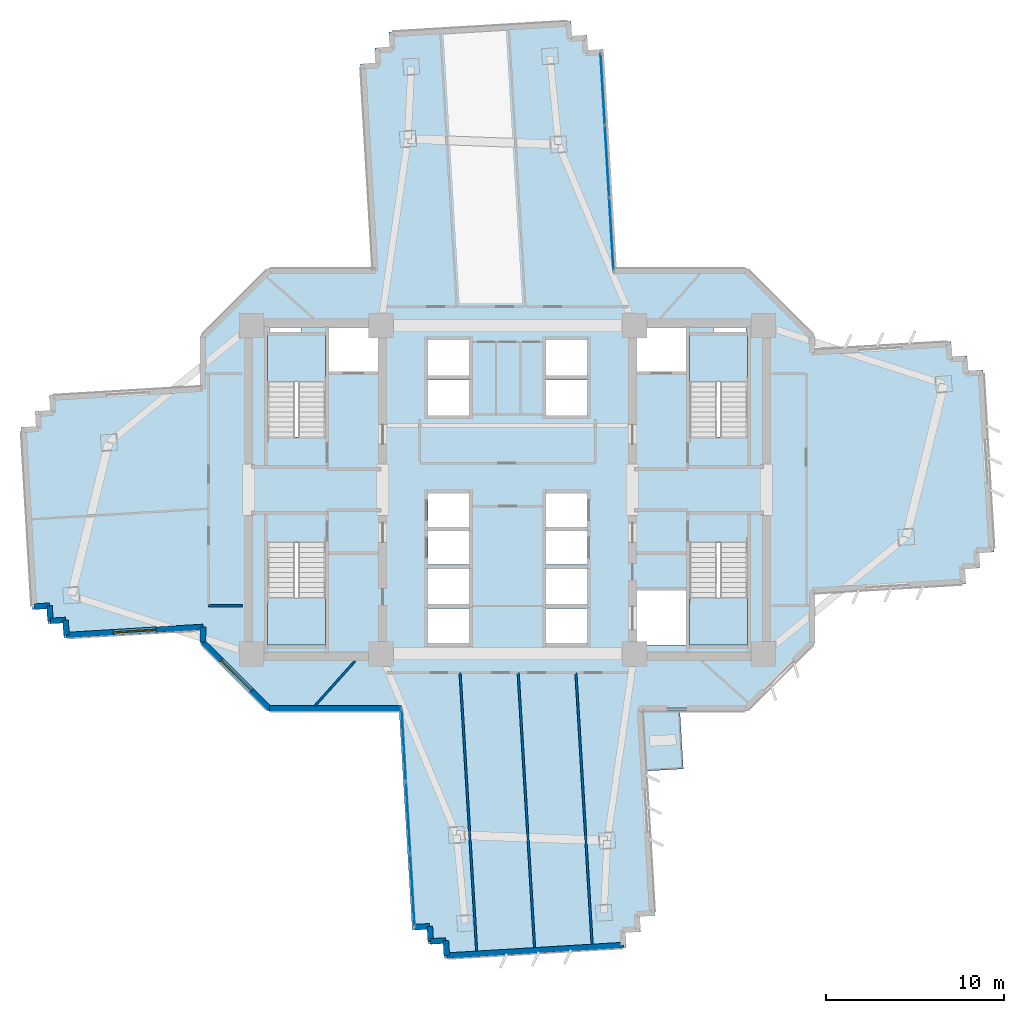
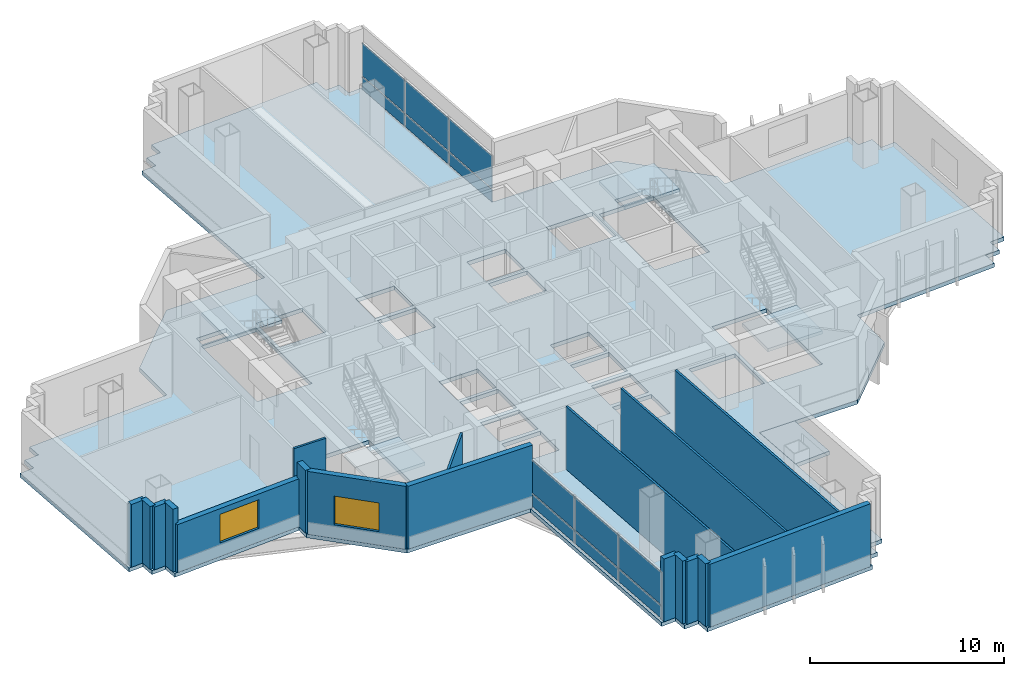
# One storey, part 5 of 15: 18 walls, 12 plates, 6 slabs, 2 windows, 2 openings, 6 elements without a shape of their own.
"""IFC4 building model written with IfcOpenShell, lengths in metres."""

import ifcopenshell
import ifcopenshell.guid

model = None  # the IFC model being written
_history = None  # IfcOwnerHistory: only IFC2X3 demands one
_inside = {}  # id of a spatial element -> (the spatial element, [elements in it])
_under = {}  # id of a project, library or spatial element -> (it, [spatial elements below it])
_declared = {}  # id of a project -> (the project, [libraries it declares])
_typed = {}  # id of a type object -> (the type object, [elements of that type])
_made_of = {}  # id of a material, layer set ... -> (it, [elements and type objects made of it])


def new_model(schema):
    """Start an empty IFC model of exactly this schema.

    Asked for "IFC4X3", IfcOpenShell would pick the latest addendum, in which some entities
    have other attributes; the version numbers below select the first issue.
    IFC2X3 requires an IfcOwnerHistory on every rooted entity: one is made here for all.
    """
    global model, _history
    if schema == "IFC4X3":
        model = ifcopenshell.file(schema_version=(4, 3, 0, 0))
    else:
        model = ifcopenshell.file(schema=schema)
    _inside.clear()
    _under.clear()
    _declared.clear()
    _typed.clear()
    _made_of.clear()
    _history = None
    if model.schema == "IFC2X3":
        org = make("IfcOrganization", Name="unknown")
        user = make(
            "IfcPersonAndOrganization",
            ThePerson=make("IfcPerson", FamilyName="unknown"),
            TheOrganization=org,
        )
        app = make(
            "IfcApplication",
            ApplicationDeveloper=org,
            Version="unknown",
            ApplicationFullName="unknown",
            ApplicationIdentifier="unknown",
        )
        _history = make(
            "IfcOwnerHistory",
            OwningUser=user,
            OwningApplication=app,
            ChangeAction="ADDED",
            CreationDate=0,
        )
    return model


def make(cls, **values):
    """One entity of the class cls with the attributes given. An attribute that is None is left unset."""
    return model.create_entity(
        cls, **{name: value for name, value in values.items() if value is not None}
    )


def rooted(cls, **values):
    """An entity with a GlobalId (a new one), such as an element, a storey or a relation."""
    return make(cls, GlobalId=ifcopenshell.guid.new(), OwnerHistory=_history, **values)


def si_unit(unit_type, name, prefix=None):
    """IfcSIUnit, for example si_unit("LENGTHUNIT", "METRE", prefix="MILLI")."""
    return make("IfcSIUnit", UnitType=unit_type, Prefix=prefix, Name=name)


def assignment(units):
    """IfcUnitAssignment: the units of a project."""
    return None if units is None else make("IfcUnitAssignment", Units=units)


def point(xyz):
    """IfcCartesianPoint."""
    return None if xyz is None else make("IfcCartesianPoint", Coordinates=xyz)


def direction(xyz):
    """IfcDirection."""
    return None if xyz is None else make("IfcDirection", DirectionRatios=xyz)


def frame(location, z_axis=None, x_axis=None):
    """IfcAxis2Placement3D, a coordinate frame: its origin and axes. An axis left out is left unset."""
    return make(
        "IfcAxis2Placement3D",
        Location=point(location),
        Axis=direction(z_axis),
        RefDirection=direction(x_axis),
    )


def frame_2d(location, x_axis=None):
    """IfcAxis2Placement2D, a coordinate frame in the plane: its origin and x axis."""
    return make(
        "IfcAxis2Placement2D", Location=point(location), RefDirection=direction(x_axis)
    )


def origin():
    """The frame at (0, 0, 0) with its axes left unset."""
    return frame((0.0, 0.0, 0.0))


def origin_2d():
    """The frame at (0, 0) in the plane with its x axis left unset."""
    return frame_2d((0.0, 0.0))


def place(relative_to, where):
    """IfcLocalPlacement: puts the frame where relative to a parent placement (None: the world)."""
    return make(
        "IfcLocalPlacement", PlacementRelTo=relative_to, RelativePlacement=where
    )


def context(
    kind, dimensions, precision=None, world=None, true_north=None, identifier=None
):
    """IfcGeometricRepresentationContext, for example the 3D "Model" context."""
    return make(
        "IfcGeometricRepresentationContext",
        ContextIdentifier=identifier,
        ContextType=kind,
        CoordinateSpaceDimension=dimensions,
        Precision=precision,
        WorldCoordinateSystem=world,
        TrueNorth=true_north,
    )


def subcontext(parent, identifier, kind, view, scale=None):
    """IfcGeometricRepresentationSubContext, for example "Body" below "Model"."""
    return make(
        "IfcGeometricRepresentationSubContext",
        ContextIdentifier=identifier,
        ContextType=kind,
        ParentContext=parent,
        TargetScale=scale,
        TargetView=view,
    )


def project(units=None, contexts=None):
    """IfcProject with its units and contexts."""
    return rooted(
        "IfcProject",
        Name="project",
        RepresentationContexts=contexts,
        UnitsInContext=assignment(units),
    )


def spatial(cls, under=None, at=None, **own):
    """A site, building, storey or space (cls), placed at a placement, below another one or the project."""
    s = rooted(cls, ObjectPlacement=at, **own)
    if under is not None:
        _under.setdefault(under.id(), (under, []))[1].append(s)
    return s


def polyline(points):
    """IfcPolyline through the points."""
    return make("IfcPolyline", Points=[point(p) for p in points])


def profile(cls, at=None, kind="AREA", **sizes):
    """A parametric profile (cls). Its sizes go by their IFC names, for example OverallWidth=200.0."""
    return make(cls, ProfileType=kind, Position=at, **sizes)


def rectangle(**sizes):
    """IfcRectangleProfileDef."""
    return profile("IfcRectangleProfileDef", **sizes)


def outline(outer, holes=None, kind="AREA"):
    """IfcArbitraryClosedProfileDef: a profile drawn as a closed curve; with holes, ...WithVoids."""
    if holes is None:
        return make("IfcArbitraryClosedProfileDef", ProfileType=kind, OuterCurve=outer)
    return make(
        "IfcArbitraryProfileDefWithVoids",
        ProfileType=kind,
        OuterCurve=outer,
        InnerCurves=holes,
    )


def extrude(swept, where, along, depth):
    """IfcExtrudedAreaSolid: the profile swept, set in the frame where, extruded along a direction by depth."""
    return make(
        "IfcExtrudedAreaSolid",
        SweptArea=swept,
        Position=where,
        ExtrudedDirection=direction(along),
        Depth=depth,
    )


def shape(context_of_items, identifier, shape_type, items):
    """IfcShapeRepresentation: the items that make up one representation, for example the "Body"."""
    return make(
        "IfcShapeRepresentation",
        ContextOfItems=context_of_items,
        RepresentationIdentifier=identifier,
        RepresentationType=shape_type,
        Items=items,
    )


def source(mapping_origin, context_of_items, identifier, shape_type, items):
    """IfcRepresentationMap: a shape defined once, which mapped items show again and again."""
    return make(
        "IfcRepresentationMap",
        MappingOrigin=mapping_origin,
        MappedRepresentation=shape(context_of_items, identifier, shape_type, items),
    )


def transform(
    local_origin,
    x_axis=None,
    y_axis=None,
    z_axis=None,
    scale=None,
    scale2=None,
    scale3=None,
    uniform=True,
):
    """IfcCartesianTransformationOperator3D, or its non-uniform kind. x_axis, y_axis, z_axis: its Axis1, 2, 3."""
    if uniform:
        return make(
            "IfcCartesianTransformationOperator3D",
            Axis1=direction(x_axis),
            Axis2=direction(y_axis),
            LocalOrigin=point(local_origin),
            Scale=scale,
            Axis3=direction(z_axis),
        )
    return make(
        "IfcCartesianTransformationOperator3DnonUniform",
        Axis1=direction(x_axis),
        Axis2=direction(y_axis),
        LocalOrigin=point(local_origin),
        Scale=scale,
        Axis3=direction(z_axis),
        Scale2=scale2,
        Scale3=scale3,
    )


def mapped(mapping_source, mapping_target):
    """IfcMappedItem: shows the shape of a source again, moved by a transform."""
    return make(
        "IfcMappedItem", MappingSource=mapping_source, MappingTarget=mapping_target
    )


def material(Name=None, Category=None):
    """IfcMaterial."""
    return make("IfcMaterial", Name=Name, Category=Category)


def layer(
    of_material, thickness, ventilated=None, Name=None, Category=None, Priority=None
):
    """IfcMaterialLayer: one layer of a wall or slab, of a material (None: an air gap)."""
    return make(
        "IfcMaterialLayer",
        Material=of_material,
        LayerThickness=thickness,
        IsVentilated=ventilated,
        Name=Name,
        Category=Category,
        Priority=Priority,
    )


def layer_set(layers, Name=None):
    """IfcMaterialLayerSet."""
    return make("IfcMaterialLayerSet", MaterialLayers=layers, LayerSetName=Name)


def made_of(thing, what):
    """Note that an element or type object is made of a material, layer set ...; save() writes the relation."""
    if what is not None:
        _made_of.setdefault(what.id(), (what, []))[1].append(thing)
    return thing


def type_object(cls, material=None, **own):
    """A type object (cls), such as IfcWallType, which elements share."""
    return made_of(rooted(cls, **own), material)


def element(
    cls,
    number,
    at=None,
    inside=None,
    cuts=None,
    type_object=None,
    material=None,
    context=None,
    identifier="Body",
    shape_type=None,
    held_by="IfcProductDefinitionShape",
    body=None,
    shapes=None,
    **own,
):
    """One element of the class cls, such as IfcWall. Its Tag is "e" and its number.

    at: its placement. inside: the storey or other place that contains it. cuts: it is an
    opening in that element (IfcRelVoidsElement). A single representation is given by context,
    identifier, shape_type and body (its items); several are given by shapes. held_by: the class
    of the entity that holds the representations. save() writes the other relations.
    """
    e = rooted(cls, Tag="e%d" % number, ObjectPlacement=at, **own)
    if body is not None:
        shapes = [shape(context, identifier, shape_type, body)]
    if shapes is not None:
        e.Representation = make(held_by, Representations=shapes)
    if inside is not None:
        _inside.setdefault(inside.id(), (inside, []))[1].append(e)
    if cuts is not None:
        rooted(
            "IfcRelVoidsElement", RelatingBuildingElement=cuts, RelatedOpeningElement=e
        )
    if type_object is not None:
        _typed.setdefault(type_object.id(), (type_object, []))[1].append(e)
    return made_of(e, material)


def fill(opening, filler):
    """IfcRelFillsElement: the door or window that sits in an opening."""
    return rooted(
        "IfcRelFillsElement",
        RelatingOpeningElement=opening,
        RelatedBuildingElement=filler,
    )


def aggregate(whole, parts):
    """IfcRelAggregates: a whole, such as a stair, and the parts it consists of."""
    return rooted("IfcRelAggregates", RelatingObject=whole, RelatedObjects=parts)


def save(model, path):
    """Write the relations noted so far, then the file.

    IfcRelAggregates (storeys below a building ...), IfcRelContainedInSpatialStructure (elements
    in a storey), IfcRelDefinesByType, IfcRelAssociatesMaterial and IfcRelDeclares: one each for
    every whole, place, type object, material and project.
    """
    for whole, parts in _under.values():
        aggregate(whole, parts)
    for where, things in _inside.values():
        rooted(
            "IfcRelContainedInSpatialStructure",
            RelatedElements=things,
            RelatingStructure=where,
        )
    for kind, things in _typed.values():
        rooted("IfcRelDefinesByType", RelatedObjects=things, RelatingType=kind)
    for what, things in _made_of.values():
        rooted("IfcRelAssociatesMaterial", RelatedObjects=things, RelatingMaterial=what)
    for by, libraries in _declared.values():
        rooted("IfcRelDeclares", RelatingContext=by, RelatedDefinitions=libraries)
    model.write(path)


model = new_model("IFC4")

# Units and contexts
model_context = context("Model", 3, precision=1e-05, world=origin(), true_north=direction((0.0, 1.0)))
body_context = subcontext(model_context, "Body", "Model", "MODEL_VIEW")
ifc_project = project(units=[si_unit("LENGTHUNIT", "METRE"), si_unit("AREAUNIT", "SQUARE_METRE"), si_unit("VOLUMEUNIT", "CUBIC_METRE"), si_unit("PLANEANGLEUNIT", "RADIAN"), si_unit("MASSUNIT", "GRAM", prefix="KILO")], contexts=[model_context])

# Site, building, storey
site_placement = place(None, origin())
site = spatial("IfcSite", under=ifc_project, at=site_placement, CompositionType="ELEMENT")
building_placement = place(site_placement, origin())
building = spatial("IfcBuilding", under=site, at=building_placement, Name="Zahravan Cultural Tower", CompositionType="ELEMENT")
storey_placement = place(building_placement, frame((0.0, 0.0, 75.300048828125)))
storey = spatial("IfcBuildingStorey", under=building, at=storey_placement, Name="L16", CompositionType="ELEMENT", Elevation=75.300048828125)

# Stair, slab
ifc_material_1 = material(Name="Concrete C45/55", Category="concrete")
stair_type = type_object("IfcStairType", Name="STR-DL-1550-420", PredefinedType="HALF_TURN_STAIR", material=ifc_material_1)
stair_1_placement = place(storey_placement, origin())
stair_1 = element("IfcStair", 1, at=stair_1_placement, inside=storey, type_object=stair_type, Name="L16 West Core North Exit Stair ST-W1", PredefinedType="HALF_TURN_STAIR")
ifc_layer_1 = layer(ifc_material_1, 0.199951171875)
ifc_layer_set_1 = layer_set([ifc_layer_1], Name="Concrete C45/55")
slab_type_1 = type_object("IfcSlabType", Name="SL-STAIR-LND200", PredefinedType="LANDING", material=ifc_layer_set_1)
slab_1_placement = place(storey_placement, frame((0.0, 0.0, 1.89990234375)))
slab_1 = element("IfcSlab", 2, at=slab_1_placement, type_object=slab_type_1, Name="ST-W1 landing 1", PredefinedType="LANDING", context=body_context, shape_type="SweptSolid", body=[
    extrude(outline(polyline([(25.800048828125, 33.030029296875), (25.800048828125, 35.699951171875), (22.550048828125, 35.699951171875), (22.550048828125, 33.030029296875), (25.800048828125, 33.030029296875)])), origin(), (0.0, 0.0, 1.0), 0.199951171875),
])
aggregate(stair_1, [slab_1])

stair_2_placement = place(storey_placement, origin())
stair_2 = element("IfcStair", 3, at=stair_2_placement, inside=storey, type_object=stair_type, Name="L16 West Core South Exit Stair ST-W2", PredefinedType="HALF_TURN_STAIR")
slab_2_placement = place(storey_placement, frame((0.0, 0.0, 1.89990234375)))
slab_2 = element("IfcSlab", 4, at=slab_2_placement, type_object=slab_type_1, Name="ST-W2 landing 1", PredefinedType="LANDING", context=body_context, shape_type="SweptSolid", body=[
    extrude(outline(polyline([(22.550048828125, 20.969970703125), (22.550048828125, 18.300048828125), (25.800048828125, 18.300048828125), (25.800048828125, 20.969970703125), (22.550048828125, 20.969970703125)])), origin(), (0.0, 0.0, 1.0), 0.199951171875),
])
aggregate(stair_2, [slab_2])

stair_3_placement = place(storey_placement, origin())
stair_3 = element("IfcStair", 5, at=stair_3_placement, inside=storey, type_object=stair_type, Name="L16 East Core North Exit Stair ST-E1", PredefinedType="HALF_TURN_STAIR")
slab_3_placement = place(storey_placement, frame((0.0, 0.0, 1.89990234375)))
slab_3 = element("IfcSlab", 6, at=slab_3_placement, type_object=slab_type_1, Name="ST-E1 landing 1", PredefinedType="LANDING", context=body_context, shape_type="SweptSolid", body=[
    extrude(outline(polyline([(49.449951171875, 33.030029296875), (49.449951171875, 35.699951171875), (46.199951171875, 35.699951171875), (46.199951171875, 33.030029296875), (49.449951171875, 33.030029296875)])), origin(), (0.0, 0.0, 1.0), 0.199951171875),
])
aggregate(stair_3, [slab_3])

stair_4_placement = place(storey_placement, origin())
stair_4 = element("IfcStair", 7, at=stair_4_placement, inside=storey, type_object=stair_type, Name="L16 East Core South Exit Stair ST-E2", PredefinedType="HALF_TURN_STAIR")
slab_4_placement = place(storey_placement, frame((0.0, 0.0, 1.89990234375)))
slab_4 = element("IfcSlab", 8, at=slab_4_placement, type_object=slab_type_1, Name="ST-E2 landing 1", PredefinedType="LANDING", context=body_context, shape_type="SweptSolid", body=[
    extrude(outline(polyline([(46.199951171875, 20.969970703125), (46.199951171875, 18.300048828125), (49.449951171875, 18.300048828125), (49.449951171875, 20.969970703125), (46.199951171875, 20.969970703125)])), origin(), (0.0, 0.0, 1.0), 0.199951171875),
])
aggregate(stair_4, [slab_4])

# Slabs
ifc_material_2 = material(Name="Concrete C40/50", Category="concrete")
ifc_layer_2 = layer(ifc_material_2, 0.239990234375)
ifc_layer_set_2 = layer_set([ifc_layer_2], Name="Concrete C40/50")
slab_type_2 = type_object("IfcSlabType", Name="SL-TERR-240", PredefinedType="FLOOR", material=ifc_layer_set_2)
slab_5_placement = place(storey_placement, frame((0.0, 0.0, -0.239990234375)))
element("IfcSlab", 9, at=slab_5_placement, inside=storey, type_object=slab_type_2, Name="L16 Planted Sculpture Terrace SE", PredefinedType="FLOOR", context=body_context, shape_type="SweptSolid", body=[
    extrude(outline(polyline([(45.8505859375, 11.35986328125), (45.6572265625, 14.594970703125), (43.55859375, 14.594970703125), (43.75927734375, 11.23486328125), (45.8505859375, 11.35986328125)])), origin(), (0.0, 0.0, 1.0), 0.239990234375),
])
ifc_layer_3 = layer(ifc_material_2, 0.25)
ifc_layer_set_3 = layer_set([ifc_layer_3], Name="Concrete C40/50")
slab_type_3 = type_object("IfcSlabType", Name="SL-TYP-250", PredefinedType="FLOOR", material=ifc_layer_set_3)
slab_6_placement = place(storey_placement, frame((0.0, 0.0, -0.25)))
element("IfcSlab", 10, at=slab_6_placement, inside=storey, type_object=slab_type_3, Name="L16 Structural Floor Slab", PredefinedType="FLOOR", context=body_context, shape_type="SweptSolid", body=[
    extrude(outline(polyline([(53.199951171875, 34.840087890625), (53.199951171875, 35.60009765625), (49.39990234375, 39.39990234375), (42.071044921875, 39.39990234375), (41.33837890625, 51.662353515625), (40.48974609375, 51.61181640625), (40.439208984375, 52.460205078125), (39.590576171875, 52.409423828125), (39.539794921875, 53.2578125), (29.358154296875, 52.6494140625), (29.40869140625, 51.801025390625), (28.560302734375, 51.750244140625), (28.611083984375, 50.90185546875), (27.762451171875, 50.85107421875), (28.447021484375, 39.39990234375), (22.60009765625, 39.39990234375), (18.800048828125, 35.60009765625), (18.800048828125, 32.7841796875), (10.33935546875, 32.278564453125), (10.39013671875, 31.43017578125), (9.54150390625, 31.37939453125), (9.59228515625, 30.531005859375), (8.743896484375, 30.480224609375), (9.352294921875, 20.29833984375), (10.20068359375, 20.34912109375), (10.25146484375, 19.50048828125), (11.10009765625, 19.55126953125), (11.150634765625, 18.702880859375), (18.800048828125, 19.159912109375), (18.800048828125, 18.39990234375), (22.60009765625, 14.60009765625), (29.928955078125, 14.60009765625), (30.66162109375, 2.337646484375), (31.51025390625, 2.38818359375), (31.560791015625, 1.539794921875), (32.409423828125, 1.590576171875), (32.460205078125, 0.7421875), (42.641845703125, 1.3505859375), (42.59130859375, 2.198974609375), (43.439697265625, 2.249755859375), (43.388916015625, 3.09814453125), (44.237548828125, 3.14892578125), (43.552978515625, 14.60009765625), (49.39990234375, 14.60009765625), (53.199951171875, 18.39990234375), (53.199951171875, 21.2158203125), (61.66064453125, 21.721435546875), (61.60986328125, 22.56982421875), (62.45849609375, 22.62060546875), (62.40771484375, 23.468994140625), (63.256103515625, 23.519775390625), (62.647705078125, 33.70166015625), (61.79931640625, 33.65087890625), (61.74853515625, 34.49951171875), (60.89990234375, 34.44873046875), (60.849365234375, 35.297119140625), (53.199951171875, 34.840087890625)]), holes=[polyline([(22.550048828125, 29.949951171875), (22.550048828125, 35.699951171875), (25.800048828125, 35.699951171875), (25.800048828125, 29.949951171875), (22.550048828125, 29.949951171875)]), polyline([(22.550048828125, 18.300048828125), (22.550048828125, 24.050048828125), (25.800048828125, 24.050048828125), (25.800048828125, 18.300048828125), (22.550048828125, 18.300048828125)]), polyline([(46.199951171875, 29.949951171875), (46.199951171875, 35.699951171875), (49.449951171875, 35.699951171875), (49.449951171875, 29.949951171875), (46.199951171875, 29.949951171875)]), polyline([(46.199951171875, 18.300048828125), (46.199951171875, 24.050048828125), (49.449951171875, 24.050048828125), (49.449951171875, 18.300048828125), (46.199951171875, 18.300048828125)]), polyline([(26.0, 33.60009765625), (26.0, 36.050048828125), (28.75, 36.050048828125), (28.75, 33.60009765625), (26.0, 33.60009765625)]), polyline([(43.25, 33.60009765625), (43.25, 36.050048828125), (46.0, 36.050048828125), (46.0, 33.60009765625), (43.25, 33.60009765625)]), polyline([(43.25, 18.300048828125), (43.25, 21.35009765625), (46.0, 21.35009765625), (46.0, 18.300048828125), (43.25, 18.300048828125)]), polyline([(31.550048828125, 33.39990234375), (31.550048828125, 35.39990234375), (33.85009765625, 35.39990234375), (33.85009765625, 33.39990234375), (31.550048828125, 33.39990234375)]), polyline([(31.550048828125, 31.14990234375), (31.550048828125, 33.14990234375), (33.85009765625, 33.14990234375), (33.85009765625, 31.14990234375), (31.550048828125, 31.14990234375)]), polyline([(38.14990234375, 33.39990234375), (38.14990234375, 35.39990234375), (40.449951171875, 35.39990234375), (40.449951171875, 33.39990234375), (38.14990234375, 33.39990234375)]), polyline([(38.14990234375, 31.14990234375), (38.14990234375, 33.14990234375), (40.449951171875, 33.14990234375), (40.449951171875, 31.14990234375), (38.14990234375, 31.14990234375)]), polyline([(31.550048828125, 20.60009765625), (31.550048828125, 22.550048828125), (33.85009765625, 22.550048828125), (33.85009765625, 20.60009765625), (31.550048828125, 20.60009765625)]), polyline([(31.550048828125, 18.39990234375), (31.550048828125, 20.35009765625), (33.85009765625, 20.35009765625), (33.85009765625, 18.39990234375), (31.550048828125, 18.39990234375)]), polyline([(38.14990234375, 20.60009765625), (38.14990234375, 22.550048828125), (40.449951171875, 22.550048828125), (40.449951171875, 20.60009765625), (38.14990234375, 20.60009765625)]), polyline([(38.14990234375, 18.39990234375), (38.14990234375, 20.35009765625), (40.449951171875, 20.35009765625), (40.449951171875, 18.39990234375), (38.14990234375, 18.39990234375)]), polyline([(31.550048828125, 24.89990234375), (31.550048828125, 26.800048828125), (33.85009765625, 26.800048828125), (33.85009765625, 24.89990234375), (31.550048828125, 24.89990234375)]), polyline([(31.550048828125, 22.800048828125), (31.550048828125, 24.699951171875), (33.85009765625, 24.699951171875), (33.85009765625, 22.800048828125), (31.550048828125, 22.800048828125)]), polyline([(38.14990234375, 24.89990234375), (38.14990234375, 26.800048828125), (40.449951171875, 26.800048828125), (40.449951171875, 24.89990234375), (38.14990234375, 24.89990234375)]), polyline([(38.14990234375, 22.800048828125), (38.14990234375, 24.699951171875), (40.449951171875, 24.699951171875), (40.449951171875, 22.800048828125), (38.14990234375, 22.800048828125)]), polyline([(22.64990234375, 35.800048828125), (22.64990234375, 36.419921875), (24.449951171875, 36.419921875), (24.449951171875, 35.800048828125), (22.64990234375, 35.800048828125)]), polyline([(47.550048828125, 35.800048828125), (47.550048828125, 36.419921875), (49.35009765625, 36.419921875), (49.35009765625, 35.800048828125), (47.550048828125, 35.800048828125)])]), origin(), (0.0, 0.0, 1.0), 0.25),
])

# Curtain wall, plates
ifc_material_3 = material(Name="Anodised bronze-aluminium mullion", Category="aluminium")
ifc_layer_4 = layer(ifc_material_3, 0.219970703125)
ifc_layer_set_4 = layer_set([ifc_layer_4], Name="Anodised bronze-aluminium mullion")
curtain_wall_type_1 = type_object("IfcCurtainWallType", Name="CW-SYS-1", PredefinedType="USERDEFINED", material=ifc_layer_set_4)
curtain_wall_1_placement = place(storey_placement, origin())
curtain_wall_1 = element("IfcCurtainWall", 11, at=curtain_wall_1_placement, inside=storey, type_object=curtain_wall_type_1, Name="L16 Recessed Curtain Wall CW-1.1", ObjectType="RECESSED GLAZING", PredefinedType="USERDEFINED")
ifc_material_4 = material(Name="Low-E solar-control double glazing", Category="glass")
ifc_layer_5 = layer(ifc_material_4, 0.031982421875)
ifc_layer_set_5 = layer_set([ifc_layer_5], Name="Low-E solar-control double glazing")
plate_type_1 = type_object("IfcPlateType", Name="CWP-CW-1", PredefinedType="CURTAIN_PANEL", material=ifc_layer_set_5)
shared_shape_1 = source(origin(), body_context, "Body", "SweptSolid", [
    extrude(rectangle(XDim=3.97216796875, YDim=0.031982421875, at=origin_2d()), origin(), (0.0, 0.0, 1.0), 0.780029296875),
])
plate_1_placement = place(storey_placement, frame((30.669921875, 4.548095703125, 0.080078125), z_axis=(0.0, 0.0, 1.0), x_axis=(-0.059652198511, 0.998219222021, 0.0)))
plate_1 = element("IfcPlate", 12, at=plate_1_placement, type_object=plate_type_1, Name="CW-1 panel 1.1", PredefinedType="CURTAIN_PANEL", context=body_context, shape_type="MappedRepresentation", body=[
    mapped(shared_shape_1, transform((0.0, 0.0, 0.0), x_axis=(1.0, 0.0, 0.0), y_axis=(0.0, 1.0, 0.0), z_axis=(0.0, 0.0, 1.0), scale=1.0)),
])
plate_2_placement = place(storey_placement, frame((30.18408203125, 12.677734375, 0.080078125), z_axis=(0.0, 0.0, 1.0), x_axis=(-0.059652198511, 0.998219222021, 0.0)))
plate_2 = element("IfcPlate", 13, at=plate_2_placement, type_object=plate_type_1, Name="CW-1 panel 3.1", PredefinedType="CURTAIN_PANEL", context=body_context, shape_type="MappedRepresentation", body=[
    mapped(shared_shape_1, transform((0.0, 0.0, 0.0), x_axis=(1.0, 0.0, 0.0), y_axis=(0.0, 1.0, 0.0), z_axis=(0.0, 0.0, 1.0), scale=1.0)),
])
shared_shape_2 = source(origin(), body_context, "Body", "SweptSolid", [
    extrude(rectangle(XDim=3.97216796875, YDim=0.031982421875, at=origin_2d()), origin(), (0.0, 0.0, 1.0), 2.050048828125),
])
plate_3_placement = place(storey_placement, frame((30.669921875, 4.548095703125, 0.93994140625), z_axis=(0.0, 0.0, 1.0), x_axis=(-0.059652198511, 0.998219222021, 0.0)))
plate_3 = element("IfcPlate", 14, at=plate_3_placement, type_object=plate_type_1, Name="CW-1 panel 1.2", PredefinedType="CURTAIN_PANEL", context=body_context, shape_type="MappedRepresentation", body=[
    mapped(shared_shape_2, transform((0.0, 0.0, 0.0), x_axis=(1.0, 0.0, 0.0), y_axis=(0.0, 1.0, 0.0), z_axis=(0.0, 0.0, 1.0), scale=1.0)),
])
plate_4_placement = place(storey_placement, frame((30.18408203125, 12.677734375, 0.93994140625), z_axis=(0.0, 0.0, 1.0), x_axis=(-0.059652198511, 0.998219222021, 0.0)))
plate_4 = element("IfcPlate", 15, at=plate_4_placement, type_object=plate_type_1, Name="CW-1 panel 3.2", PredefinedType="CURTAIN_PANEL", context=body_context, shape_type="MappedRepresentation", body=[
    mapped(shared_shape_2, transform((0.0, 0.0, 0.0), x_axis=(1.0, 0.0, 0.0), y_axis=(0.0, 1.0, 0.0), z_axis=(0.0, 0.0, 1.0), scale=1.0)),
])
shared_shape_3 = source(origin(), body_context, "Body", "SweptSolid", [
    extrude(rectangle(XDim=4.011962890625, YDim=0.031982421875, at=origin_2d()), origin(), (0.0, 0.0, 1.0), 0.780029296875),
])
plate_5_placement = place(storey_placement, frame((30.427001953125, 8.61279296875, 0.080078125), z_axis=(0.0, 0.0, 1.0), x_axis=(-0.059652198511, 0.998219222021, 0.0)))
plate_5 = element("IfcPlate", 16, at=plate_5_placement, type_object=plate_type_1, Name="CW-1 panel 2.1", PredefinedType="CURTAIN_PANEL", context=body_context, shape_type="MappedRepresentation", body=[
    mapped(shared_shape_3, transform((0.0, 0.0, 0.0), x_axis=(1.0, 0.0, 0.0), y_axis=(0.0, 1.0, 0.0), z_axis=(0.0, 0.0, 1.0), scale=1.0)),
])
shared_shape_4 = source(origin(), body_context, "Body", "SweptSolid", [
    extrude(rectangle(XDim=4.011962890625, YDim=0.031982421875, at=origin_2d()), origin(), (0.0, 0.0, 1.0), 2.050048828125),
])
plate_6_placement = place(storey_placement, frame((30.427001953125, 8.61279296875, 0.93994140625), z_axis=(0.0, 0.0, 1.0), x_axis=(-0.059652198511, 0.998219222021, 0.0)))
plate_6 = element("IfcPlate", 17, at=plate_6_placement, type_object=plate_type_1, Name="CW-1 panel 2.2", PredefinedType="CURTAIN_PANEL", context=body_context, shape_type="MappedRepresentation", body=[
    mapped(shared_shape_4, transform((0.0, 0.0, 0.0), x_axis=(1.0, 0.0, 0.0), y_axis=(0.0, 1.0, 0.0), z_axis=(0.0, 0.0, 1.0), scale=1.0)),
])
aggregate(curtain_wall_1, [plate_1, plate_3, plate_5, plate_6, plate_2, plate_4])

ifc_layer_6 = layer(ifc_material_3, 0.199951171875)
ifc_layer_set_6 = layer_set([ifc_layer_6], Name="Anodised bronze-aluminium mullion")
curtain_wall_type_2 = type_object("IfcCurtainWallType", Name="CW-SYS-2", PredefinedType="USERDEFINED", material=ifc_layer_set_6)
curtain_wall_2_placement = place(storey_placement, origin())
curtain_wall_2 = element("IfcCurtainWall", 18, at=curtain_wall_2_placement, inside=storey, type_object=curtain_wall_type_2, Name="L16 Recessed Curtain Wall CW-2.2", ObjectType="RECESSED GLAZING", PredefinedType="USERDEFINED")
ifc_layer_7 = layer(ifc_material_4, 0.030029296875)
ifc_layer_set_7 = layer_set([ifc_layer_7], Name="Low-E solar-control double glazing")
plate_type_2 = type_object("IfcPlateType", Name="CWP-CW-2", PredefinedType="CURTAIN_PANEL", material=ifc_layer_set_7)
shared_shape_5 = source(origin(), body_context, "Body", "SweptSolid", [
    extrude(rectangle(XDim=3.9794921875, YDim=0.030029296875, at=origin_2d()), origin(), (0.0, 0.0, 1.0), 0.78759765625),
])
plate_7_placement = place(storey_placement, frame((41.330078125, 49.453125, 0.074951171875), z_axis=(0.0, 0.0, 1.0), x_axis=(0.059652198511, -0.998219222021, 0.0)))
plate_7 = element("IfcPlate", 19, at=plate_7_placement, type_object=plate_type_2, Name="CW-2 panel 1.1", PredefinedType="CURTAIN_PANEL", context=body_context, shape_type="MappedRepresentation", body=[
    mapped(shared_shape_5, transform((0.0, 0.0, 0.0), x_axis=(1.0, 0.0, 0.0), y_axis=(0.0, 1.0, 0.0), z_axis=(0.0, 0.0, 1.0), scale=1.0)),
])
plate_8_placement = place(storey_placement, frame((41.81591796875, 41.321044921875, 0.074951171875), z_axis=(0.0, 0.0, 1.0), x_axis=(0.059652198511, -0.998219222021, 0.0)))
plate_8 = element("IfcPlate", 20, at=plate_8_placement, type_object=plate_type_2, Name="CW-2 panel 3.1", PredefinedType="CURTAIN_PANEL", context=body_context, shape_type="MappedRepresentation", body=[
    mapped(shared_shape_5, transform((0.0, 0.0, 0.0), x_axis=(1.0, 0.0, 0.0), y_axis=(0.0, 1.0, 0.0), z_axis=(0.0, 0.0, 1.0), scale=1.0)),
])
shared_shape_6 = source(origin(), body_context, "Body", "SweptSolid", [
    extrude(rectangle(XDim=3.9794921875, YDim=0.030029296875, at=origin_2d()), origin(), (0.0, 0.0, 1.0), 2.0576171875),
])
plate_9_placement = place(storey_placement, frame((41.330078125, 49.453125, 0.9375), z_axis=(0.0, 0.0, 1.0), x_axis=(0.059652198511, -0.998219222021, 0.0)))
plate_9 = element("IfcPlate", 21, at=plate_9_placement, type_object=plate_type_2, Name="CW-2 panel 1.2", PredefinedType="CURTAIN_PANEL", context=body_context, shape_type="MappedRepresentation", body=[
    mapped(shared_shape_6, transform((0.0, 0.0, 0.0), x_axis=(1.0, 0.0, 0.0), y_axis=(0.0, 1.0, 0.0), z_axis=(0.0, 0.0, 1.0), scale=1.0)),
])
plate_10_placement = place(storey_placement, frame((41.81591796875, 41.321044921875, 0.9375), z_axis=(0.0, 0.0, 1.0), x_axis=(0.059652198511, -0.998219222021, 0.0)))
plate_10 = element("IfcPlate", 22, at=plate_10_placement, type_object=plate_type_2, Name="CW-2 panel 3.2", PredefinedType="CURTAIN_PANEL", context=body_context, shape_type="MappedRepresentation", body=[
    mapped(shared_shape_6, transform((0.0, 0.0, 0.0), x_axis=(1.0, 0.0, 0.0), y_axis=(0.0, 1.0, 0.0), z_axis=(0.0, 0.0, 1.0), scale=1.0)),
])
shared_shape_7 = source(origin(), body_context, "Body", "SweptSolid", [
    extrude(rectangle(XDim=4.01708984375, YDim=0.030029296875, at=origin_2d()), origin(), (0.0, 0.0, 1.0), 0.78759765625),
])
plate_11_placement = place(storey_placement, frame((41.572998046875, 45.38720703125, 0.074951171875), z_axis=(0.0, 0.0, 1.0), x_axis=(0.059652198511, -0.998219222021, 0.0)))
plate_11 = element("IfcPlate", 23, at=plate_11_placement, type_object=plate_type_2, Name="CW-2 panel 2.1", PredefinedType="CURTAIN_PANEL", context=body_context, shape_type="MappedRepresentation", body=[
    mapped(shared_shape_7, transform((0.0, 0.0, 0.0), x_axis=(1.0, 0.0, 0.0), y_axis=(0.0, 1.0, 0.0), z_axis=(0.0, 0.0, 1.0), scale=1.0)),
])
shared_shape_8 = source(origin(), body_context, "Body", "SweptSolid", [
    extrude(rectangle(XDim=4.01708984375, YDim=0.030029296875, at=origin_2d()), origin(), (0.0, 0.0, 1.0), 2.0576171875),
])
plate_12_placement = place(storey_placement, frame((41.572998046875, 45.38720703125, 0.9375), z_axis=(0.0, 0.0, 1.0), x_axis=(0.059652198511, -0.998219222021, 0.0)))
plate_12 = element("IfcPlate", 24, at=plate_12_placement, type_object=plate_type_2, Name="CW-2 panel 2.2", PredefinedType="CURTAIN_PANEL", context=body_context, shape_type="MappedRepresentation", body=[
    mapped(shared_shape_8, transform((0.0, 0.0, 0.0), x_axis=(1.0, 0.0, 0.0), y_axis=(0.0, 1.0, 0.0), z_axis=(0.0, 0.0, 1.0), scale=1.0)),
])
aggregate(curtain_wall_2, [plate_7, plate_9, plate_11, plate_12, plate_8, plate_10])

# Wall, opening, window
ifc_material_5 = material(Name="Precast concrete C40/50", Category="concrete")
ifc_layer_8 = layer(ifc_material_5, 0.320068359375)
ifc_layer_set_8 = layer_set([ifc_layer_8], Name="Precast concrete C40/50")
wall_type_1 = type_object("IfcWallType", Name="EW-TC-320", PredefinedType="SOLIDWALL", material=ifc_layer_set_8)
wall_1_placement = place(storey_placement, frame((22.657958984375, 14.739990234375, 0.0), z_axis=(0.0, 0.0, 1.0), x_axis=(-0.707106781187, 0.707106781187, 0.0)))
wall_1 = element("IfcWall", 25, at=wall_1_placement, inside=storey, type_object=wall_type_1, Name="L16 Exterior Masonry Frame Wall 26", PredefinedType="SOLIDWALL", context=body_context, shape_type="SweptSolid", body=[
    extrude(rectangle(XDim=5.258056640625, YDim=0.320068359375, at=frame_2d((2.62890625, 0.0))), origin(), (0.0, 0.0, 1.0), 3.949951171875),
])
opening_1_placement = place(wall_1_placement, frame((1.428955078125, 0.0, 0.85009765625)))
opening_1 = element("IfcOpeningElement", 26, at=opening_1_placement, cuts=wall_1, Name="Opening WN-01", PredefinedType="OPENING", context=body_context, shape_type="SweptSolid", body=[
    extrude(rectangle(XDim=2.39990234375, YDim=1.800048828125, at=frame_2d((1.199951171875, 0.89990234375))), frame((0.0, 0.169921875, 0.0), z_axis=(0.0, -1.0, 0.0), x_axis=(1.0, 0.0, 0.0)), (0.0, 0.0, 1.0), 0.340087890625),
])
window_type = type_object("IfcWindowType", Name="WN-REC-2400X1800", PartitioningType="DOUBLE_PANEL_VERTICAL", PredefinedType="WINDOW", material=ifc_material_4)
shared_shape_9 = source(origin(), body_context, "Body", "SweptSolid", [
    extrude(rectangle(XDim=2.39990234375, YDim=1.800048828125, at=frame_2d((1.199951171875, 0.89990234375))), frame((0.0, 0.030029296875, 0.0), z_axis=(0.0, -1.0, 0.0), x_axis=(1.0, 0.0, 0.0)), (0.0, 0.0, 1.0), 0.06005859375),
])
window_1_placement = place(opening_1_placement, origin())
window_1 = element("IfcWindow", 27, at=window_1_placement, inside=storey, type_object=window_type, Name="L16 Recessed Solar Window 06", OverallHeight=1.800048828125, OverallWidth=2.39990234375, PartitioningType="DOUBLE_PANEL_VERTICAL", PredefinedType="WINDOW", context=body_context, shape_type="MappedRepresentation", body=[
    mapped(shared_shape_9, transform((0.0, 0.0, 0.0), x_axis=(1.0, 0.0, 0.0), y_axis=(0.0, 1.0, 0.0), z_axis=(0.0, 0.0, 1.0), scale=1.0)),
])
fill(opening_1, window_1)

wall_2_placement = place(storey_placement, frame((18.93994140625, 19.30859375, 0.0), z_axis=(0.0, 0.0, 1.0), x_axis=(-0.998218176762, -0.059669687296, 0.0)))
wall_2 = element("IfcWall", 28, at=wall_2_placement, inside=storey, type_object=wall_type_1, Name="L16 Exterior Masonry Frame Wall 28", PredefinedType="SOLIDWALL", context=body_context, shape_type="SweptSolid", body=[
    extrude(rectangle(XDim=7.671630859375, YDim=0.320068359375, at=frame_2d((3.8359375, 0.0))), origin(), (0.0, 0.0, 1.0), 3.010009765625),
])
opening_2_placement = place(wall_2_placement, frame((2.635986328125, 0.0, 0.85009765625)))
opening_2 = element("IfcOpeningElement", 29, at=opening_2_placement, cuts=wall_2, Name="Opening WN-01", PredefinedType="OPENING", context=body_context, shape_type="SweptSolid", body=[
    extrude(rectangle(XDim=2.39990234375, YDim=1.800048828125, at=frame_2d((1.199951171875, 0.89990234375))), frame((0.0, 0.169921875, 0.0), z_axis=(0.0, -1.0, 0.0), x_axis=(1.0, 0.0, 0.0)), (0.0, 0.0, 1.0), 0.340087890625),
])
window_2_placement = place(opening_2_placement, origin())
window_2 = element("IfcWindow", 30, at=window_2_placement, inside=storey, type_object=window_type, Name="L16 Recessed Solar Window 07", OverallHeight=1.800048828125, OverallWidth=2.39990234375, PartitioningType="DOUBLE_PANEL_VERTICAL", PredefinedType="WINDOW", context=body_context, shape_type="MappedRepresentation", body=[
    mapped(shared_shape_9, transform((0.0, 0.0, 0.0), x_axis=(1.0, 0.0, 0.0), y_axis=(0.0, 1.0, 0.0), z_axis=(0.0, 0.0, 1.0), scale=1.0)),
])
fill(opening_2, window_2)

# Walls
shared_shape_10 = source(origin(), body_context, "Body", "SweptSolid", [
    extrude(rectangle(XDim=0.849853515625, YDim=0.320068359375, at=frame_2d((0.4248046875, 0.0))), origin(), (0.0, 0.0, 1.0), 3.949951171875),
])
for number, where, z_axis, x_axis, name in (
    (31, (32.540771484375, 1.73876953125, 0.0), (0.0, 0.0, 1.0), (-0.998213421964, -0.059749177487, 0.0), "L16 Exterior Masonry Frame Wall 22"),
    (32, (31.6923828125, 1.68798828125, 0.0), (0.0, 0.0, 1.0), (-0.059749177487, 0.998213421964, 0.0), "L16 Exterior Masonry Frame Wall 23"),
    (33, (31.6416015625, 2.536376953125, 0.0), (0.0, 0.0, 1.0), (-0.998213421964, -0.059749177487, 0.0), "L16 Exterior Masonry Frame Wall 24"),
):
    element("IfcWall", number, at=place(storey_placement, frame(where, z_axis=z_axis, x_axis=x_axis)), inside=storey, type_object=wall_type_1, Name=name, PredefinedType="SOLIDWALL", context=body_context, shape_type="MappedRepresentation", body=[
        mapped(shared_shape_10, transform((0.0, 0.0, 0.0), x_axis=(1.0, 0.0, 0.0), y_axis=(0.0, 1.0, 0.0), z_axis=(0.0, 0.0, 1.0), scale=1.0)),
    ])
shared_shape_11 = source(origin(), body_context, "Body", "SweptSolid", [
    extrude(rectangle(XDim=0.85009765625, YDim=0.320068359375, at=frame_2d((0.425048828125, 0.0))), origin(), (0.0, 0.0, 1.0), 3.949951171875),
])
for number, where, z_axis, x_axis, name in (
    (34, (32.591552734375, 0.89013671875, 0.0), (0.0, 0.0, 1.0), (-0.059732049764, 0.998214447016, 0.0), "L16 Exterior Masonry Frame Wall 21"),
    (35, (11.281982421875, 18.850830078125, 0.0), (0.0, 0.0, 1.0), (-0.059445893707, 0.998231529116, 0.0), "L16 Exterior Masonry Frame Wall 29"),
    (36, (11.2314453125, 19.699462890625, 0.0), (0.0, 0.0, 1.0), (-0.998214447016, -0.059732049764, 0.0), "L16 Exterior Masonry Frame Wall 30"),
    (37, (10.3828125, 19.648681640625, 0.0), (0.0, 0.0, 1.0), (-0.059445893707, 0.998231529116, 0.0), "L16 Exterior Masonry Frame Wall 31"),
    (38, (10.332275390625, 20.497314453125, 0.0), (0.0, 0.0, 1.0), (-0.998214447016, -0.059732049764, 0.0), "L16 Exterior Masonry Frame Wall 32"),
):
    element("IfcWall", number, at=place(storey_placement, frame(where, z_axis=z_axis, x_axis=x_axis)), inside=storey, type_object=wall_type_1, Name=name, PredefinedType="SOLIDWALL", context=body_context, shape_type="MappedRepresentation", body=[
        mapped(shared_shape_11, transform((0.0, 0.0, 0.0), x_axis=(1.0, 0.0, 0.0), y_axis=(0.0, 1.0, 0.0), z_axis=(0.0, 0.0, 1.0), scale=1.0)),
    ])
shared_shape_12 = source(origin(), body_context, "Body", "SweptSolid", [
    extrude(rectangle(XDim=9.919921875, YDim=0.320068359375, at=frame_2d((4.9599609375, 0.0))), origin(), (0.0, 0.0, 1.0), 3.949951171875),
])
wall_3_placement = place(storey_placement, frame((42.493896484375, 1.48193359375, 0.0), z_axis=(0.0, 0.0, 1.0), x_axis=(-0.998218942745, -0.059656871726, 0.0)))
element("IfcWall", 39, at=wall_3_placement, inside=storey, type_object=wall_type_1, Name="L16 Exterior Masonry Frame Wall 20", PredefinedType="SOLIDWALL", context=body_context, shape_type="MappedRepresentation", body=[
    mapped(shared_shape_12, transform((0.0, 0.0, 0.0), x_axis=(1.0, 0.0, 0.0), y_axis=(0.0, 1.0, 0.0), z_axis=(0.0, 0.0, 1.0), scale=1.0)),
])
shared_shape_13 = source(origin(), body_context, "Body", "SweptSolid", [
    extrude(rectangle(XDim=7.40283203125, YDim=0.320068359375, at=frame_2d((3.701416015625, 0.0))), origin(), (0.0, 0.0, 1.0), 3.949951171875),
])
wall_4_placement = place(storey_placement, frame((30.060791015625, 14.739990234375, 0.0), z_axis=(0.0, 0.0, 1.0), x_axis=(-1.0, 0.0, 0.0)))
element("IfcWall", 40, at=wall_4_placement, inside=storey, type_object=wall_type_1, Name="L16 Exterior Masonry Frame Wall 25", PredefinedType="SOLIDWALL", context=body_context, shape_type="MappedRepresentation", body=[
    mapped(shared_shape_13, transform((0.0, 0.0, 0.0), x_axis=(1.0, 0.0, 0.0), y_axis=(0.0, 1.0, 0.0), z_axis=(0.0, 0.0, 1.0), scale=1.0)),
])
shared_shape_14 = source(origin(), body_context, "Body", "SweptSolid", [
    extrude(rectangle(XDim=0.8505859375, YDim=0.320068359375, at=frame_2d((0.42529296875, 0.0))), origin(), (0.0, 0.0, 1.0), 3.949951171875),
])
wall_5_placement = place(storey_placement, frame((18.93994140625, 18.4580078125, 0.0), z_axis=(0.0, 0.0, 1.0), x_axis=(0.0, 1.0, 0.0)))
element("IfcWall", 41, at=wall_5_placement, inside=storey, type_object=wall_type_1, Name="L16 Exterior Masonry Frame Wall 27", PredefinedType="SOLIDWALL", context=body_context, shape_type="MappedRepresentation", body=[
    mapped(shared_shape_14, transform((0.0, 0.0, 0.0), x_axis=(1.0, 0.0, 0.0), y_axis=(0.0, 1.0, 0.0), z_axis=(0.0, 0.0, 1.0), scale=1.0)),
])
ifc_material_6 = material(Name="Gypsum plasterboard partition")
ifc_layer_9 = layer(ifc_material_6, 0.125)
ifc_layer_set_9 = layer_set([ifc_layer_9], Name="Gypsum plasterboard partition")
wall_type_2 = type_object("IfcWallType", Name="W-PART-125", PredefinedType="PARTITIONING", material=ifc_layer_set_9)
shared_shape_15 = source(origin(), body_context, "Body", "SweptSolid", [
    extrude(rectangle(XDim=15.41796875, YDim=0.125, at=frame_2d((7.708984375, 0.0))), origin(), (0.0, 0.0, 1.0), 3.949951171875),
])
wall_6_placement = place(storey_placement, frame((37.512939453125, 1.349609375, 0.0), z_axis=(0.0, 0.0, 1.0), x_axis=(-0.059666030768, 0.998218395329, 0.0)))
element("IfcWall", 42, at=wall_6_placement, inside=storey, type_object=wall_type_2, Name="L16 Interior Wall 079", PredefinedType="PARTITIONING", context=body_context, shape_type="MappedRepresentation", body=[
    mapped(shared_shape_15, transform((0.0, 0.0, 0.0), x_axis=(1.0, 0.0, 0.0), y_axis=(0.0, 1.0, 0.0), z_axis=(0.0, 0.0, 1.0), scale=1.0)),
])
shared_shape_16 = source(origin(), body_context, "Body", "SweptSolid", [
    extrude(rectangle(XDim=15.224853515625, YDim=0.125, at=frame_2d((7.6123046875, 0.0))), origin(), (0.0, 0.0, 1.0), 3.949951171875),
])
wall_7_placement = place(storey_placement, frame((39.828857421875, 16.739990234375, 0.0), z_axis=(0.0, 0.0, 1.0), x_axis=(0.059652617074, -0.998219197008, 0.0)))
element("IfcWall", 43, at=wall_7_placement, inside=storey, type_object=wall_type_2, Name="L16 Interior Wall 081", PredefinedType="PARTITIONING", context=body_context, shape_type="MappedRepresentation", body=[
    mapped(shared_shape_16, transform((0.0, 0.0, 0.0), x_axis=(1.0, 0.0, 0.0), y_axis=(0.0, 1.0, 0.0), z_axis=(0.0, 0.0, 1.0), scale=1.0)),
])
shared_shape_17 = source(origin(), body_context, "Body", "SweptSolid", [
    extrude(rectangle(XDim=15.612060546875, YDim=0.125, at=frame_2d((7.80615234375, 0.0))), origin(), (0.0, 0.0, 1.0), 3.949951171875),
])
wall_8_placement = place(storey_placement, frame((34.268798828125, 1.15576171875, 0.0), z_axis=(0.0, 0.0, 1.0), x_axis=(-0.059658872533, 0.998218823169, 0.0)))
element("IfcWall", 44, at=wall_8_placement, inside=storey, type_object=wall_type_2, Name="L16 Interior Wall 082", PredefinedType="PARTITIONING", context=body_context, shape_type="MappedRepresentation", body=[
    mapped(shared_shape_17, transform((0.0, 0.0, 0.0), x_axis=(1.0, 0.0, 0.0), y_axis=(0.0, 1.0, 0.0), z_axis=(0.0, 0.0, 1.0), scale=1.0)),
])
shared_shape_18 = source(origin(), body_context, "Body", "SweptSolid", [
    extrude(rectangle(XDim=3.34765625, YDim=0.125, at=frame_2d((1.673828125, 0.0))), origin(), (0.0, 0.0, 1.0), 3.949951171875),
])
wall_9_placement = place(storey_placement, frame((25.215087890625, 14.9013671875, 0.0), z_axis=(0.0, 0.0, 1.0), x_axis=(0.667206176518, 0.74487308853, 0.0)))
element("IfcWall", 45, at=wall_9_placement, inside=storey, type_object=wall_type_2, Name="L16 Interior Wall 088", PredefinedType="PARTITIONING", context=body_context, shape_type="MappedRepresentation", body=[
    mapped(shared_shape_18, transform((0.0, 0.0, 0.0), x_axis=(1.0, 0.0, 0.0), y_axis=(0.0, 1.0, 0.0), z_axis=(0.0, 0.0, 1.0), scale=1.0)),
])
shared_shape_19 = source(origin(), body_context, "Body", "SweptSolid", [
    extrude(rectangle(XDim=1.89599609375, YDim=0.125, at=frame_2d((0.947998046875, 0.0))), origin(), (0.0, 0.0, 1.0), 3.949951171875),
])
wall_10_placement = place(storey_placement, frame((19.25048828125, 20.50341796875, 0.0), z_axis=(0.0, 0.0, 1.0), x_axis=(0.999998806185, -0.001545195168, 0.0)))
element("IfcWall", 46, at=wall_10_placement, inside=storey, type_object=wall_type_2, Name="L16 Interior Wall 098", PredefinedType="PARTITIONING", context=body_context, shape_type="MappedRepresentation", body=[
    mapped(shared_shape_19, transform((0.0, 0.0, 0.0), x_axis=(1.0, 0.0, 0.0), y_axis=(0.0, 1.0, 0.0), z_axis=(0.0, 0.0, 1.0), scale=1.0)),
])

save(model, "model.ifc")
